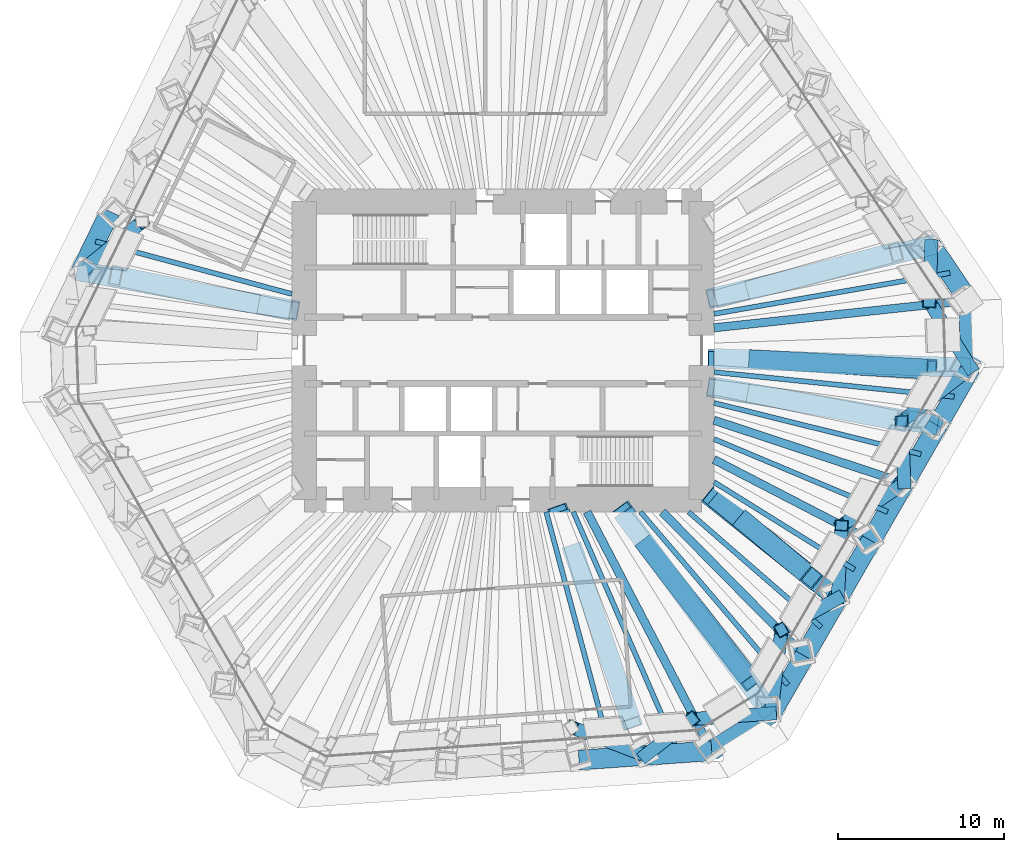
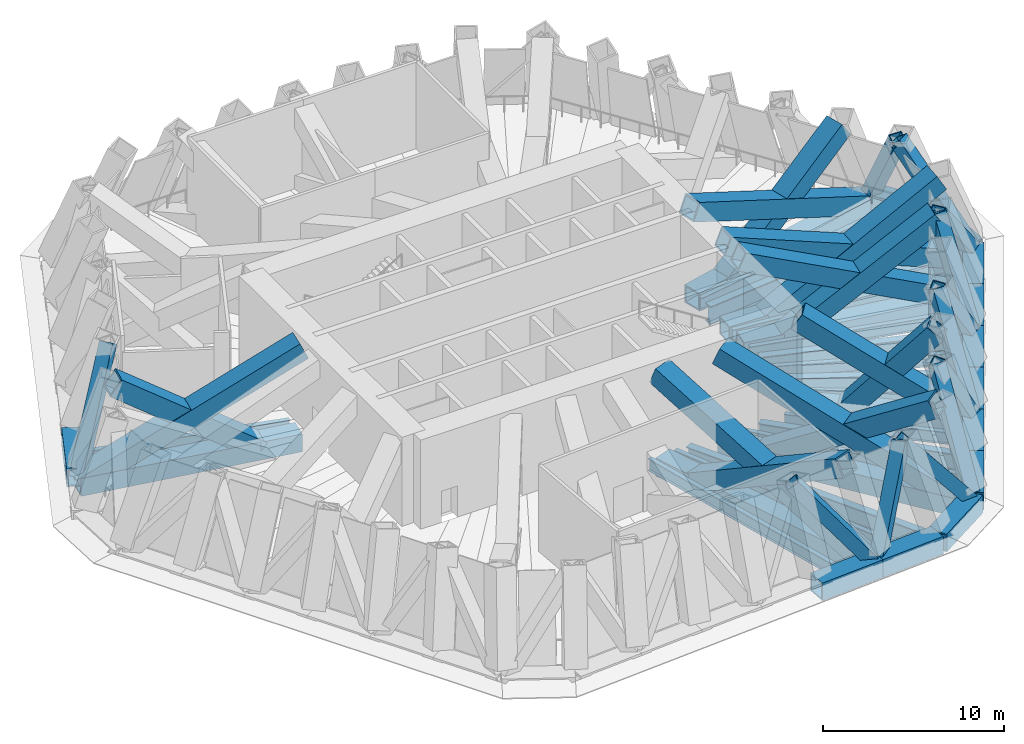
# One storey, part 3 of 12: 38 members, 22 beams.
"""IFC4 building model written with IfcOpenShell, lengths in metres."""

import ifcopenshell
import ifcopenshell.guid

model = None  # the IFC model being written
_history = None  # IfcOwnerHistory: only IFC2X3 demands one
_inside = {}  # id of a spatial element -> (the spatial element, [elements in it])
_under = {}  # id of a project, library or spatial element -> (it, [spatial elements below it])
_declared = {}  # id of a project -> (the project, [libraries it declares])
_typed = {}  # id of a type object -> (the type object, [elements of that type])
_made_of = {}  # id of a material, layer set ... -> (it, [elements and type objects made of it])


def new_model(schema):
    """Start an empty IFC model of exactly this schema.

    Asked for "IFC4X3", IfcOpenShell would pick the latest addendum, in which some entities
    have other attributes; the version numbers below select the first issue.
    IFC2X3 requires an IfcOwnerHistory on every rooted entity: one is made here for all.
    """
    global model, _history
    if schema == "IFC4X3":
        model = ifcopenshell.file(schema_version=(4, 3, 0, 0))
    else:
        model = ifcopenshell.file(schema=schema)
    _inside.clear()
    _under.clear()
    _declared.clear()
    _typed.clear()
    _made_of.clear()
    _history = None
    if model.schema == "IFC2X3":
        org = make("IfcOrganization", Name="unknown")
        user = make(
            "IfcPersonAndOrganization",
            ThePerson=make("IfcPerson", FamilyName="unknown"),
            TheOrganization=org,
        )
        app = make(
            "IfcApplication",
            ApplicationDeveloper=org,
            Version="unknown",
            ApplicationFullName="unknown",
            ApplicationIdentifier="unknown",
        )
        _history = make(
            "IfcOwnerHistory",
            OwningUser=user,
            OwningApplication=app,
            ChangeAction="ADDED",
            CreationDate=0,
        )
    return model


def make(cls, **values):
    """One entity of the class cls with the attributes given. An attribute that is None is left unset."""
    return model.create_entity(
        cls, **{name: value for name, value in values.items() if value is not None}
    )


def rooted(cls, **values):
    """An entity with a GlobalId (a new one), such as an element, a storey or a relation."""
    return make(cls, GlobalId=ifcopenshell.guid.new(), OwnerHistory=_history, **values)


def si_unit(unit_type, name, prefix=None):
    """IfcSIUnit, for example si_unit("LENGTHUNIT", "METRE", prefix="MILLI")."""
    return make("IfcSIUnit", UnitType=unit_type, Prefix=prefix, Name=name)


def assignment(units):
    """IfcUnitAssignment: the units of a project."""
    return None if units is None else make("IfcUnitAssignment", Units=units)


def point(xyz):
    """IfcCartesianPoint."""
    return None if xyz is None else make("IfcCartesianPoint", Coordinates=xyz)


def direction(xyz):
    """IfcDirection."""
    return None if xyz is None else make("IfcDirection", DirectionRatios=xyz)


def frame(location, z_axis=None, x_axis=None):
    """IfcAxis2Placement3D, a coordinate frame: its origin and axes. An axis left out is left unset."""
    return make(
        "IfcAxis2Placement3D",
        Location=point(location),
        Axis=direction(z_axis),
        RefDirection=direction(x_axis),
    )


def frame_2d(location, x_axis=None):
    """IfcAxis2Placement2D, a coordinate frame in the plane: its origin and x axis."""
    return make(
        "IfcAxis2Placement2D", Location=point(location), RefDirection=direction(x_axis)
    )


def origin():
    """The frame at (0, 0, 0) with its axes left unset."""
    return frame((0.0, 0.0, 0.0))


def origin_2d():
    """The frame at (0, 0) in the plane with its x axis left unset."""
    return frame_2d((0.0, 0.0))


def place(relative_to, where):
    """IfcLocalPlacement: puts the frame where relative to a parent placement (None: the world)."""
    return make(
        "IfcLocalPlacement", PlacementRelTo=relative_to, RelativePlacement=where
    )


def context(
    kind, dimensions, precision=None, world=None, true_north=None, identifier=None
):
    """IfcGeometricRepresentationContext, for example the 3D "Model" context."""
    return make(
        "IfcGeometricRepresentationContext",
        ContextIdentifier=identifier,
        ContextType=kind,
        CoordinateSpaceDimension=dimensions,
        Precision=precision,
        WorldCoordinateSystem=world,
        TrueNorth=true_north,
    )


def subcontext(parent, identifier, kind, view, scale=None):
    """IfcGeometricRepresentationSubContext, for example "Body" below "Model"."""
    return make(
        "IfcGeometricRepresentationSubContext",
        ContextIdentifier=identifier,
        ContextType=kind,
        ParentContext=parent,
        TargetScale=scale,
        TargetView=view,
    )


def project(units=None, contexts=None):
    """IfcProject with its units and contexts."""
    return rooted(
        "IfcProject",
        Name="project",
        RepresentationContexts=contexts,
        UnitsInContext=assignment(units),
    )


def spatial(cls, under=None, at=None, **own):
    """A site, building, storey or space (cls), placed at a placement, below another one or the project."""
    s = rooted(cls, ObjectPlacement=at, **own)
    if under is not None:
        _under.setdefault(under.id(), (under, []))[1].append(s)
    return s


def profile(cls, at=None, kind="AREA", **sizes):
    """A parametric profile (cls). Its sizes go by their IFC names, for example OverallWidth=200.0."""
    return make(cls, ProfileType=kind, Position=at, **sizes)


def hollow_rectangle(**sizes):
    """IfcRectangleHollowProfileDef."""
    return profile("IfcRectangleHollowProfileDef", **sizes)


def i_section(**sizes):
    """IfcIShapeProfileDef."""
    return profile("IfcIShapeProfileDef", **sizes)


def extrude(swept, where, along, depth):
    """IfcExtrudedAreaSolid: the profile swept, set in the frame where, extruded along a direction by depth."""
    return make(
        "IfcExtrudedAreaSolid",
        SweptArea=swept,
        Position=where,
        ExtrudedDirection=direction(along),
        Depth=depth,
    )


def shape(context_of_items, identifier, shape_type, items):
    """IfcShapeRepresentation: the items that make up one representation, for example the "Body"."""
    return make(
        "IfcShapeRepresentation",
        ContextOfItems=context_of_items,
        RepresentationIdentifier=identifier,
        RepresentationType=shape_type,
        Items=items,
    )


def material(Name=None, Category=None):
    """IfcMaterial."""
    return make("IfcMaterial", Name=Name, Category=Category)


def material_profile(
    of_material, cross_section, Name=None, Category=None, Priority=None
):
    """IfcMaterialProfile: a cross section and its material."""
    return make(
        "IfcMaterialProfile",
        Name=Name,
        Material=of_material,
        Profile=cross_section,
        Priority=Priority,
        Category=Category,
    )


def profile_set(profiles, Name=None, composite=None):
    """IfcMaterialProfileSet."""
    return make(
        "IfcMaterialProfileSet",
        Name=Name,
        MaterialProfiles=profiles,
        CompositeProfile=composite,
    )


def made_of(thing, what):
    """Note that an element or type object is made of a material, layer set ...; save() writes the relation."""
    if what is not None:
        _made_of.setdefault(what.id(), (what, []))[1].append(thing)
    return thing


def type_object(cls, material=None, **own):
    """A type object (cls), such as IfcWallType, which elements share."""
    return made_of(rooted(cls, **own), material)


def element(
    cls,
    number,
    at=None,
    inside=None,
    cuts=None,
    type_object=None,
    material=None,
    context=None,
    identifier="Body",
    shape_type=None,
    held_by="IfcProductDefinitionShape",
    body=None,
    shapes=None,
    **own,
):
    """One element of the class cls, such as IfcWall. Its Tag is "e" and its number.

    at: its placement. inside: the storey or other place that contains it. cuts: it is an
    opening in that element (IfcRelVoidsElement). A single representation is given by context,
    identifier, shape_type and body (its items); several are given by shapes. held_by: the class
    of the entity that holds the representations. save() writes the other relations.
    """
    e = rooted(cls, Tag="e%d" % number, ObjectPlacement=at, **own)
    if body is not None:
        shapes = [shape(context, identifier, shape_type, body)]
    if shapes is not None:
        e.Representation = make(held_by, Representations=shapes)
    if inside is not None:
        _inside.setdefault(inside.id(), (inside, []))[1].append(e)
    if cuts is not None:
        rooted(
            "IfcRelVoidsElement", RelatingBuildingElement=cuts, RelatedOpeningElement=e
        )
    if type_object is not None:
        _typed.setdefault(type_object.id(), (type_object, []))[1].append(e)
    return made_of(e, material)


def aggregate(whole, parts):
    """IfcRelAggregates: a whole, such as a stair, and the parts it consists of."""
    return rooted("IfcRelAggregates", RelatingObject=whole, RelatedObjects=parts)


def save(model, path):
    """Write the relations noted so far, then the file.

    IfcRelAggregates (storeys below a building ...), IfcRelContainedInSpatialStructure (elements
    in a storey), IfcRelDefinesByType, IfcRelAssociatesMaterial and IfcRelDeclares: one each for
    every whole, place, type object, material and project.
    """
    for whole, parts in _under.values():
        aggregate(whole, parts)
    for where, things in _inside.values():
        rooted(
            "IfcRelContainedInSpatialStructure",
            RelatedElements=things,
            RelatingStructure=where,
        )
    for kind, things in _typed.values():
        rooted("IfcRelDefinesByType", RelatedObjects=things, RelatingType=kind)
    for what, things in _made_of.values():
        rooted("IfcRelAssociatesMaterial", RelatedObjects=things, RelatingMaterial=what)
    for by, libraries in _declared.values():
        rooted("IfcRelDeclares", RelatingContext=by, RelatedDefinitions=libraries)
    model.write(path)


model = new_model("IFC4")

# Units and contexts
model_context = context("Model", 3, precision=1e-05, world=origin(), true_north=direction((0.0, 1.0)))
body_context = subcontext(model_context, "Body", "Model", "MODEL_VIEW")
ifc_project = project(units=[si_unit("LENGTHUNIT", "METRE"), si_unit("AREAUNIT", "SQUARE_METRE"), si_unit("VOLUMEUNIT", "CUBIC_METRE"), si_unit("PLANEANGLEUNIT", "RADIAN"), si_unit("MASSUNIT", "GRAM", prefix="KILO")], contexts=[model_context])

# Site, building, storey
site_placement = place(None, origin())
site = spatial("IfcSite", under=ifc_project, at=site_placement, CompositionType="ELEMENT")
building_placement = place(site_placement, origin())
building = spatial("IfcBuilding", under=site, at=building_placement, Name="Qingtian Harvest Tower", CompositionType="ELEMENT")
storey_placement = place(building_placement, frame((0.0, 0.0, 174.39990234375)))
storey = spatial("IfcBuildingStorey", under=building, at=storey_placement, Name="L37", CompositionType="ELEMENT", Elevation=174.39990234375)

# Members
ifc_material_1 = material(Name="Steel SM570MC", Category="steel")
ifc_material_profile_1 = material_profile(ifc_material_1, hollow_rectangle(XDim=1.199951171875, YDim=1.199951171875, WallThickness=0.10009765625, at=origin_2d()), Name="BOX1200x1200x100")
ifc_profile_set_1 = profile_set([ifc_material_profile_1], Name="Steel SM570MC")
member_type_1 = type_object("IfcMemberType", Name="Belt truss chord BC2 BOX1200x1200x100", PredefinedType="CHORD", material=ifc_profile_set_1)
member_1_placement = place(storey_placement, frame((25.8720703125, 6.3505859375, -0.599853515625), z_axis=(0.55916400171, -0.829057066306, 0.0), x_axis=(0.829057066306, 0.55916400171, 0.0)))
element("IfcMember", 1, at=member_1_placement, inside=storey, type_object=member_type_1, Name="Belt chord BC2 NE5", PredefinedType="CHORD", context=body_context, shape_type="SweptSolid", body=[
    extrude(hollow_rectangle(XDim=1.199951171875, YDim=1.199951171875, WallThickness=0.10009765625, at=origin_2d()), origin(), (0.0, 0.0, 1.0), 4.01904296875),
])
member_2_placement = place(storey_placement, frame((28.119384765625, 3.0185546875, -0.599853515625), z_axis=(0.03490639867, -0.999390585973, 0.0), x_axis=(0.999390585973, 0.03490639867, 0.0)))
element("IfcMember", 2, at=member_2_placement, inside=storey, type_object=member_type_1, Name="Belt chord BC2 NEC", PredefinedType="CHORD", context=body_context, shape_type="SweptSolid", body=[
    extrude(hollow_rectangle(XDim=1.199951171875, YDim=1.199951171875, WallThickness=0.10009765625, at=origin_2d()), origin(), (0.0, 0.0, 1.0), 4.070556640625),
])
for number, where, z_axis, x_axis, name in (
    (3, (28.261474609375, -1.049560546875, -0.599853515625), (-0.499987116613, -0.866032841884, 0.0), (0.866032841884, -0.499987116613, 0.0), "Belt chord BC2 SE0"),
    (4, (26.251953125, -4.5302734375, -0.599853515625), (-0.499987116613, -0.866032841884, 0.0), (0.866032841884, -0.499987116613, 0.0), "Belt chord BC2 SE1"),
    (5, (24.242431640625, -8.010986328125, -0.599853515625), (-0.500013420409, -0.866017655369, 0.0), (0.866017655369, -0.500013420409, 0.0), "Belt chord BC2 SE2"),
    (6, (22.23291015625, -11.491455078125, -0.599853515625), (-0.499987116613, -0.866032841884, 0.0), (0.866032841884, -0.499987116613, 0.0), "Belt chord BC2 SE3"),
    (7, (20.223388671875, -14.97216796875, -0.599853515625), (-0.499987116613, -0.866032841884, 0.0), (0.866032841884, -0.499987116613, 0.0), "Belt chord BC2 SE4"),
    (8, (18.2138671875, -18.452880859375, -0.599853515625), (-0.500013420409, -0.866017655369, 0.0), (0.866017655369, -0.500013420409, 0.0), "Belt chord BC2 SE5"),
):
    element("IfcMember", number, at=place(storey_placement, frame(where, z_axis=z_axis, x_axis=x_axis)), inside=storey, type_object=member_type_1, Name=name, PredefinedType="CHORD", context=body_context, shape_type="SweptSolid", body=[
        extrude(hollow_rectangle(XDim=1.199951171875, YDim=1.199951171875, WallThickness=0.10009765625, at=origin_2d()), origin(), (0.0, 0.0, 1.0), 4.01904296875),
    ])
member_3_placement = place(storey_placement, frame((16.204345703125, -21.933349609375, -0.599853515625), z_axis=(-0.848056550838, -0.529905733675, 0.0), x_axis=(0.529905733675, -0.848056550838, 0.0)))
element("IfcMember", 9, at=member_3_placement, inside=storey, type_object=member_type_1, Name="Belt chord BC2 SEC", PredefinedType="CHORD", context=body_context, shape_type="SweptSolid", body=[
    extrude(hollow_rectangle(XDim=1.199951171875, YDim=1.199951171875, WallThickness=0.10009765625, at=origin_2d()), origin(), (0.0, 0.0, 1.0), 4.23828125),
])
for number, where, z_axis, x_axis, name in (
    (10, (12.610107421875, -24.17919921875, -0.599853515625), (-0.997561251588, -0.069796485086, 0.0), (0.069796485086, -0.997561251588, 0.0), "Belt chord BC2 S0"),
    (11, (8.600830078125, -24.459716796875, -0.599853515625), (-0.997565479251, -0.069736035208, 0.0), (0.069736035208, -0.997565479251, 0.0), "Belt chord BC2 S1"),
    (12, (-25.483154296875, 4.78125, -0.599853515625), (0.438396105405, 0.89878187274, 0.0), (-0.89878187274, 0.438396105405, 0.0), "Belt chord BC2 NW1"),
):
    element("IfcMember", number, at=place(storey_placement, frame(where, z_axis=z_axis, x_axis=x_axis)), inside=storey, type_object=member_type_1, Name=name, PredefinedType="CHORD", context=body_context, shape_type="SweptSolid", body=[
        extrude(hollow_rectangle(XDim=1.199951171875, YDim=1.199951171875, WallThickness=0.10009765625, at=origin_2d()), origin(), (0.0, 0.0, 1.0), 4.01904296875),
    ])
ifc_material_2 = material(Name="Steel SM570MC", Category="steel")
ifc_material_profile_2 = material_profile(ifc_material_2, hollow_rectangle(XDim=0.800048828125, YDim=0.800048828125, WallThickness=0.050048828125, at=origin_2d()), Name="BOX800x800x50")
ifc_profile_set_2 = profile_set([ifc_material_profile_2], Name="Steel SM570MC")
member_type_2 = type_object("IfcMemberType", Name="Belt truss diagonal BD2 BOX800x800x50", PredefinedType="BRACE", material=ifc_profile_set_2)
member_4_placement = place(storey_placement, frame((25.8720703125, 6.3505859375, -0.599853515625), z_axis=(-0.015876913054, -0.494518104814, 0.869022305607), x_axis=(0.999485006016, -0.032089293364, 0.0)))
element("IfcMember", 13, at=member_4_placement, inside=storey, type_object=member_type_2, Name="Belt truss diagonal BD2 L37 NE5", PredefinedType="BRACE", context=body_context, shape_type="SweptSolid", body=[
    extrude(hollow_rectangle(XDim=0.800048828125, YDim=0.800048828125, WallThickness=0.050048828125, at=origin_2d()), origin(), (0.0, 0.0, 1.0), 6.904296875),
])
member_5_placement = place(storey_placement, frame((25.762451171875, 2.936279296875, 5.400146484375), z_axis=(0.327764985671, -0.522771703406, -0.786943365362), x_axis=(0.847245257372, 0.531201914398, 0.0)))
element("IfcMember", 14, at=member_5_placement, inside=storey, type_object=member_type_2, Name="Belt truss diagonal BD2 L37 NE6", PredefinedType="BRACE", context=body_context, shape_type="SweptSolid", body=[
    extrude(hollow_rectangle(XDim=0.800048828125, YDim=0.800048828125, WallThickness=0.050048828125, at=origin_2d()), origin(), (0.0, 0.0, 1.0), 7.62451171875),
])
member_6_placement = place(storey_placement, frame((28.261474609375, -1.049560546875, -0.599853515625), z_axis=(-0.522323339513, -0.404139854445, 0.750898999233), x_axis=(0.611946418423, -0.790899223024, 0.0)))
element("IfcMember", 15, at=member_6_placement, inside=storey, type_object=member_type_2, Name="Belt truss diagonal BD2 L37 SE0", PredefinedType="BRACE", context=body_context, shape_type="SweptSolid", body=[
    extrude(hollow_rectangle(XDim=0.800048828125, YDim=0.800048828125, WallThickness=0.050048828125, at=origin_2d()), origin(), (0.0, 0.0, 1.0), 7.990478515625),
])
member_7_placement = place(storey_placement, frame((24.087890625, -4.27880859375, 5.400146484375), z_axis=(0.021865671963, -0.528057705053, -0.848926941806), x_axis=(0.999143800735, 0.04137227879, 0.0)))
element("IfcMember", 16, at=member_7_placement, inside=storey, type_object=member_type_2, Name="Belt truss diagonal BD2 L37 SE1", PredefinedType="BRACE", context=body_context, shape_type="SweptSolid", body=[
    extrude(hollow_rectangle(XDim=0.800048828125, YDim=0.800048828125, WallThickness=0.050048828125, at=origin_2d()), origin(), (0.0, 0.0, 1.0), 7.067626953125),
])
member_8_placement = place(storey_placement, frame((24.242431640625, -8.010986328125, -0.599853515625), z_axis=(-0.502141940591, -0.339518632298, 0.795349338229), x_axis=(0.560121899694, -0.828410198804, 0.0)))
element("IfcMember", 17, at=member_8_placement, inside=storey, type_object=member_type_2, Name="Belt truss diagonal BD2 L37 SE2", PredefinedType="BRACE", context=body_context, shape_type="SweptSolid", body=[
    extrude(hollow_rectangle(XDim=0.800048828125, YDim=0.800048828125, WallThickness=0.050048828125, at=origin_2d()), origin(), (0.0, 0.0, 1.0), 7.5439453125),
])
member_9_placement = place(storey_placement, frame((20.454345703125, -10.572265625, 5.400146484375), z_axis=(-0.031026114269, -0.591070434835, -0.806023027771), x_axis=(0.99862516695, -0.05241923249, 0.0)))
element("IfcMember", 18, at=member_9_placement, inside=storey, type_object=member_type_2, Name="Belt truss diagonal BD2 L37 SE3", PredefinedType="BRACE", context=body_context, shape_type="SweptSolid", body=[
    extrude(hollow_rectangle(XDim=0.800048828125, YDim=0.800048828125, WallThickness=0.050048828125, at=origin_2d()), origin(), (0.0, 0.0, 1.0), 7.44384765625),
])
member_10_placement = place(storey_placement, frame((20.223388671875, -14.97216796875, -0.599853515625), z_axis=(-0.475697313506, -0.264727585818, 0.838827378684), x_axis=(0.4862762778, -0.873805116516, 0.0)))
element("IfcMember", 19, at=member_10_placement, inside=storey, type_object=member_type_2, Name="Belt truss diagonal BD2 L37 SE4", PredefinedType="BRACE", context=body_context, shape_type="SweptSolid", body=[
    extrude(hollow_rectangle(XDim=0.800048828125, YDim=0.800048828125, WallThickness=0.050048828125, at=origin_2d()), origin(), (0.0, 0.0, 1.0), 7.15283203125),
])
member_11_placement = place(storey_placement, frame((16.82080078125, -16.86572265625, 5.400146484375), z_axis=(-0.078251476429, -0.643273622274, -0.761627043456), x_axis=(0.992682275225, -0.120755540056, 0.0)))
element("IfcMember", 20, at=member_11_placement, inside=storey, type_object=member_type_2, Name="Belt truss diagonal BD2 L37 SE5", PredefinedType="BRACE", context=body_context, shape_type="SweptSolid", body=[
    extrude(hollow_rectangle(XDim=0.800048828125, YDim=0.800048828125, WallThickness=0.050048828125, at=origin_2d()), origin(), (0.0, 0.0, 1.0), 7.8779296875),
])
member_12_placement = place(storey_placement, frame((16.204345703125, -21.933349609375, -0.599853515625), z_axis=(-0.623714425442, -0.042271189993, 0.780508463754), x_axis=(0.067618193465, -0.997711270816, 0.0)))
element("IfcMember", 21, at=member_12_placement, inside=storey, type_object=member_type_2, Name="Belt truss diagonal BD2 L37 SE6", PredefinedType="BRACE", context=body_context, shape_type="SweptSolid", body=[
    extrude(hollow_rectangle(XDim=0.800048828125, YDim=0.800048828125, WallThickness=0.050048828125, at=origin_2d()), origin(), (0.0, 0.0, 1.0), 7.687255859375),
])
member_13_placement = place(storey_placement, frame((11.40966796875, -22.25830078125, 5.400146484375), z_axis=(-0.402348709764, -0.315339271268, -0.859463006619), x_axis=(0.616863337539, -0.787070278184, 0.0)))
element("IfcMember", 22, at=member_13_placement, inside=storey, type_object=member_type_2, Name="Belt truss diagonal BD2 L37 S0", PredefinedType="BRACE", context=body_context, shape_type="SweptSolid", body=[
    extrude(hollow_rectangle(XDim=0.800048828125, YDim=0.800048828125, WallThickness=0.050048828125, at=origin_2d()), origin(), (0.0, 0.0, 1.0), 6.981201171875),
])
for number, where, z_axis, x_axis, name in (
    (23, (8.600830078125, -24.459716796875, -0.599853515625), (-0.580118733463, 0.221387955188, 0.783868374399), (-0.356544240979, -0.934278440415, 0.0), "Belt truss diagonal BD2 L37 S1"),
    (24, (-25.483154296875, 4.78125, -0.599853515625), (0.481783559461, 0.391710287569, 0.783867114022), (-0.63084592459, 0.775908125636, 0.0), "Belt truss diagonal BD2 L37 NW1"),
):
    element("IfcMember", number, at=place(storey_placement, frame(where, z_axis=z_axis, x_axis=x_axis)), inside=storey, type_object=member_type_2, Name=name, PredefinedType="BRACE", context=body_context, shape_type="SweptSolid", body=[
        extrude(hollow_rectangle(XDim=0.800048828125, YDim=0.800048828125, WallThickness=0.050048828125, at=origin_2d()), origin(), (0.0, 0.0, 1.0), 7.654296875),
    ])

# Beams
ifc_material_3 = material(Name="Steel SN490B", Category="steel")
ifc_material_profile_3 = material_profile(ifc_material_3, i_section(OverallWidth=0.300048828125, OverallDepth=0.800048828125, WebThickness=0.013916015625, FlangeThickness=0.02587890625, at=origin_2d()), Name="H800x300x14x26")
ifc_profile_set_3 = profile_set([ifc_material_profile_3], Name="Steel SN490B")
beam_type_1 = type_object("IfcBeamType", Name="Floor joist J1 H800x300x14x26", PredefinedType="JOIST", material=ifc_profile_set_3)
beam_1_placement = place(storey_placement, frame((26.99560546875, 4.6845703125, -0.679931640625), z_axis=(-0.985273903188, -0.17098343691, 0.0), x_axis=(0.17098343691, -0.985273903188, 0.0)))
element("IfcBeam", 25, at=beam_1_placement, inside=storey, type_object=beam_type_1, Name="Floor joist J1 NE5", PredefinedType="JOIST", context=body_context, shape_type="SweptSolid", body=[
    extrude(i_section(OverallWidth=0.300048828125, OverallDepth=0.800048828125, WebThickness=0.013916015625, FlangeThickness=0.02587890625, at=origin_2d()), origin(), (0.0, 0.0, 1.0), 14.45849609375),
])
beam_2_placement = place(storey_placement, frame((27.2568359375, -2.7900390625, -0.679931640625), z_axis=(-0.994802418411, 0.101824104826, 0.0), x_axis=(-0.101824104826, -0.994802418411, 0.0)))
element("IfcBeam", 26, at=beam_2_placement, inside=storey, type_object=beam_type_1, Name="Floor joist J1 SE0", PredefinedType="JOIST", context=body_context, shape_type="SweptSolid", body=[
    extrude(i_section(OverallWidth=0.300048828125, OverallDepth=0.800048828125, WebThickness=0.013916015625, FlangeThickness=0.02587890625, at=origin_2d()), origin(), (0.0, 0.0, 1.0), 14.58251953125),
])
beam_3_placement = place(storey_placement, frame((25.247314453125, -6.2705078125, -0.679931640625), z_axis=(-0.970517179244, 0.241031958032, 0.0), x_axis=(-0.241031958032, -0.970517179244, 0.0)))
element("IfcBeam", 27, at=beam_3_placement, inside=storey, type_object=beam_type_1, Name="Floor joist J1 SE1", PredefinedType="JOIST", context=body_context, shape_type="SweptSolid", body=[
    extrude(i_section(OverallWidth=0.300048828125, OverallDepth=0.800048828125, WebThickness=0.013916015625, FlangeThickness=0.02587890625, at=origin_2d()), origin(), (0.0, 0.0, 1.0), 12.876953125),
])
beam_4_placement = place(storey_placement, frame((23.237548828125, -9.751220703125, -0.679931640625), z_axis=(-0.922104219626, 0.386941608189, 0.0), x_axis=(-0.386941608189, -0.922104219626, 0.0)))
element("IfcBeam", 28, at=beam_4_placement, inside=storey, type_object=beam_type_1, Name="Floor joist J1 SE2", PredefinedType="JOIST", context=body_context, shape_type="SweptSolid", body=[
    extrude(i_section(OverallWidth=0.300048828125, OverallDepth=0.800048828125, WebThickness=0.013916015625, FlangeThickness=0.02587890625, at=origin_2d()), origin(), (0.0, 0.0, 1.0), 11.37353515625),
])
beam_5_placement = place(storey_placement, frame((21.22802734375, -13.23193359375, -0.679931640625), z_axis=(-0.848631984892, 0.528983699389, 0.0), x_axis=(-0.528983699389, -0.848631984892, 0.0)))
element("IfcBeam", 29, at=beam_5_placement, inside=storey, type_object=beam_type_1, Name="Floor joist J1 SE3", PredefinedType="JOIST", context=body_context, shape_type="SweptSolid", body=[
    extrude(i_section(OverallWidth=0.300048828125, OverallDepth=0.800048828125, WebThickness=0.013916015625, FlangeThickness=0.02587890625, at=origin_2d()), origin(), (0.0, 0.0, 1.0), 9.990234375),
])
beam_6_placement = place(storey_placement, frame((19.218505859375, -16.71240234375, -0.679931640625), z_axis=(-0.754588679317, 0.656198083697, 0.0), x_axis=(-0.656198083697, -0.754588679317, 0.0)))
element("IfcBeam", 30, at=beam_6_placement, inside=storey, type_object=beam_type_1, Name="Floor joist J1 SE4", PredefinedType="JOIST", context=body_context, shape_type="SweptSolid", body=[
    extrude(i_section(OverallWidth=0.300048828125, OverallDepth=0.800048828125, WebThickness=0.013916015625, FlangeThickness=0.02587890625, at=origin_2d()), origin(), (0.0, 0.0, 1.0), 10.610107421875),
])
beam_7_placement = place(storey_placement, frame((17.208984375, -20.193115234375, -0.679931640625), z_axis=(-0.648631797865, 0.76110235238, 0.0), x_axis=(-0.76110235238, -0.648631797865, 0.0)))
element("IfcBeam", 31, at=beam_7_placement, inside=storey, type_object=beam_type_1, Name="Floor joist J1 SE5", PredefinedType="JOIST", context=body_context, shape_type="SweptSolid", body=[
    extrude(i_section(OverallWidth=0.300048828125, OverallDepth=0.800048828125, WebThickness=0.013916015625, FlangeThickness=0.02587890625, at=origin_2d()), origin(), (0.0, 0.0, 1.0), 13.720947265625),
])
beam_8_placement = place(storey_placement, frame((10.60546875, -24.3193359375, -0.679931640625), z_axis=(-0.399732363577, 0.916631898588, 0.0), x_axis=(-0.916631898588, -0.399732363577, 0.0)))
element("IfcBeam", 32, at=beam_8_placement, inside=storey, type_object=beam_type_1, Name="Floor joist J1 S0", PredefinedType="JOIST", context=body_context, shape_type="SweptSolid", body=[
    extrude(i_section(OverallWidth=0.300048828125, OverallDepth=0.800048828125, WebThickness=0.013916015625, FlangeThickness=0.02587890625, at=origin_2d()), origin(), (0.0, 0.0, 1.0), 15.89453125),
])
beam_9_placement = place(storey_placement, frame((6.59619140625, -24.599853515625, -0.679931640625), z_axis=(-0.258996688759, 0.965878209306, 0.0), x_axis=(-0.965878209306, -0.258996688759, 0.0)))
element("IfcBeam", 33, at=beam_9_placement, inside=storey, type_object=beam_type_1, Name="Floor joist J1 S1", PredefinedType="JOIST", context=body_context, shape_type="SweptSolid", body=[
    extrude(i_section(OverallWidth=0.300048828125, OverallDepth=0.800048828125, WebThickness=0.013916015625, FlangeThickness=0.02587890625, at=origin_2d()), origin(), (0.0, 0.0, 1.0), 15.37451171875),
])
beam_10_placement = place(storey_placement, frame((-24.60205078125, 6.58740234375, -0.679931640625), z_axis=(0.965969893862, -0.258654526641, 0.0), x_axis=(0.258654526641, 0.965969893862, 0.0)))
element("IfcBeam", 34, at=beam_10_placement, inside=storey, type_object=beam_type_1, Name="Floor joist J1 NW1", PredefinedType="JOIST", context=body_context, shape_type="SweptSolid", body=[
    extrude(i_section(OverallWidth=0.300048828125, OverallDepth=0.800048828125, WebThickness=0.013916015625, FlangeThickness=0.02587890625, at=origin_2d()), origin(), (0.0, 0.0, 1.0), 12.26953125),
])
ifc_material_4 = material(Name="Steel SM570MC", Category="steel")
ifc_material_profile_4 = material_profile(ifc_material_4, hollow_rectangle(XDim=1.199951171875, YDim=1.199951171875, WallThickness=0.10009765625, at=origin_2d()), Name="BOX1200x1200x100")
ifc_profile_set_4 = profile_set([ifc_material_profile_4], Name="Steel SM570MC")
beam_type_2 = type_object("IfcBeamType", Name="Outrigger chord beam OC2 BOX1200x1200x100", PredefinedType="BEAM", material=ifc_profile_set_4)
beam_11_placement = place(storey_placement, frame((25.8720703125, 6.3505859375, -0.8798828125), z_axis=(-0.971170997483, -0.2383839207, 0.0), x_axis=(0.2383839207, -0.971170997483, 0.0)))
element("IfcBeam", 35, at=beam_11_placement, inside=storey, type_object=beam_type_2, Name="Floor beam OC2 NE5", PredefinedType="BEAM", context=body_context, shape_type="SweptSolid", body=[
    extrude(hollow_rectangle(XDim=1.199951171875, YDim=1.199951171875, WallThickness=0.10009765625, at=origin_2d()), origin(), (0.0, 0.0, 1.0), 13.511474609375),
])
beam_12_placement = place(storey_placement, frame((28.261474609375, -1.049560546875, -0.8798828125), z_axis=(-0.999311425285, 0.03710357523, 0.0), x_axis=(-0.03710357523, -0.999311425285, 0.0)))
element("IfcBeam", 36, at=beam_12_placement, inside=storey, type_object=beam_type_2, Name="Floor beam OC2 SE0", PredefinedType="BEAM", context=body_context, shape_type="SweptSolid", body=[
    extrude(hollow_rectangle(XDim=1.199951171875, YDim=1.199951171875, WallThickness=0.10009765625, at=origin_2d()), origin(), (0.0, 0.0, 1.0), 15.522216796875),
])
beam_13_placement = place(storey_placement, frame((26.251953125, -4.5302734375, -0.8798828125), z_axis=(-0.985433767107, 0.170059667895, 0.0), x_axis=(-0.170059667895, -0.985433767107, 0.0)))
element("IfcBeam", 37, at=beam_13_placement, inside=storey, type_object=beam_type_2, Name="Floor beam OC2 SE1", PredefinedType="BEAM", context=body_context, shape_type="SweptSolid", body=[
    extrude(hollow_rectangle(XDim=1.199951171875, YDim=1.199951171875, WallThickness=0.10009765625, at=origin_2d()), origin(), (0.0, 0.0, 1.0), 13.701416015625),
])
beam_14_placement = place(storey_placement, frame((20.223388671875, -14.97216796875, -0.8798828125), z_axis=(-0.773577716445, 0.633701441233, 0.0), x_axis=(-0.633701441233, -0.773577716445, 0.0)))
element("IfcBeam", 38, at=beam_14_placement, inside=storey, type_object=beam_type_2, Name="Floor beam OC2 SE4", PredefinedType="BEAM", context=body_context, shape_type="SweptSolid", body=[
    extrude(hollow_rectangle(XDim=1.199951171875, YDim=1.199951171875, WallThickness=0.10009765625, at=origin_2d()), origin(), (0.0, 0.0, 1.0), 9.660888671875),
])
beam_15_placement = place(storey_placement, frame((16.204345703125, -21.933349609375, -0.8798828125), z_axis=(-0.594215666968, 0.804305751023, 0.0), x_axis=(-0.804305751023, -0.594215666968, 0.0)))
element("IfcBeam", 39, at=beam_15_placement, inside=storey, type_object=beam_type_2, Name="Floor beam OC2 SE6", PredefinedType="BEAM", context=body_context, shape_type="SweptSolid", body=[
    extrude(hollow_rectangle(XDim=1.199951171875, YDim=1.199951171875, WallThickness=0.10009765625, at=origin_2d()), origin(), (0.0, 0.0, 1.0), 15.147705078125),
])
beam_16_placement = place(storey_placement, frame((8.600830078125, -24.459716796875, -0.8798828125), z_axis=(-0.331719146802, 0.943378189087, 0.0), x_axis=(-0.943378189087, -0.331719146802, 0.0)))
element("IfcBeam", 40, at=beam_16_placement, inside=storey, type_object=beam_type_2, Name="Floor beam OC2 S1", PredefinedType="BEAM", context=body_context, shape_type="SweptSolid", body=[
    extrude(hollow_rectangle(XDim=1.199951171875, YDim=1.199951171875, WallThickness=0.10009765625, at=origin_2d()), origin(), (0.0, 0.0, 1.0), 15.592529296875),
])
beam_17_placement = place(storey_placement, frame((-25.483154296875, 4.78125, -0.8798828125), z_axis=(0.982851913913, -0.184396625015, 0.0), x_axis=(0.184396625015, 0.982851913913, 0.0)))
element("IfcBeam", 41, at=beam_17_placement, inside=storey, type_object=beam_type_2, Name="Floor beam OC2 NW1", PredefinedType="BEAM", context=body_context, shape_type="SweptSolid", body=[
    extrude(hollow_rectangle(XDim=1.199951171875, YDim=1.199951171875, WallThickness=0.10009765625, at=origin_2d()), origin(), (0.0, 0.0, 1.0), 12.955322265625),
])

# Members
ifc_material_5 = material(Name="Steel SM570MC", Category="steel")
ifc_material_profile_5 = material_profile(ifc_material_5, hollow_rectangle(XDim=1.199951171875, YDim=1.199951171875, WallThickness=0.10009765625, at=origin_2d()), Name="BOX1200x1200x100")
ifc_profile_set_5 = profile_set([ifc_material_profile_5], Name="Steel SM570MC")
member_type_3 = type_object("IfcMemberType", Name="Outrigger diagonal OT2 BOX1200x1200x100", PredefinedType="BRACE", material=ifc_profile_set_5)
member_14_placement = place(storey_placement, frame((8.600830078125, -24.459716796875, -0.8798828125), z_axis=(-0.312257283483, 0.878625100975, 0.361266274164), x_axis=(-0.94226300407, -0.334873754063, 0.0)))
element("IfcMember", 42, at=member_14_placement, inside=storey, type_object=member_type_3, Name="Outrigger diagonal OT2 L37 S1-1", PredefinedType="BRACE", context=body_context, shape_type="SweptSolid", body=[
    extrude(hollow_rectangle(XDim=1.199951171875, YDim=1.199951171875, WallThickness=0.10009765625, at=origin_2d()), origin(), (0.0, 0.0, 1.0), 16.912353515625),
])
member_15_placement = place(storey_placement, frame((4.224609375, -12.01416015625, -0.8798828125), z_axis=(0.28130433497, -0.829369431913, 0.482715461255), x_axis=(0.947009569295, 0.321205348123, 0.0)))
element("IfcMember", 43, at=member_15_placement, inside=storey, type_object=member_type_3, Name="Outrigger diagonal OT2 L37 S1-2", PredefinedType="BRACE", context=body_context, shape_type="SweptSolid", body=[
    extrude(hollow_rectangle(XDim=1.199951171875, YDim=1.199951171875, WallThickness=0.10009765625, at=origin_2d()), origin(), (0.0, 0.0, 1.0), 12.6572265625),
])
member_16_placement = place(storey_placement, frame((25.8720703125, 6.3505859375, -0.8798828125), z_axis=(-0.887433950657, -0.213443193864, 0.408537619093), x_axis=(0.23384846418, -0.972273056194, 0.0)))
element("IfcMember", 44, at=member_16_placement, inside=storey, type_object=member_type_3, Name="Outrigger diagonal OT2 L37 NE5-1", PredefinedType="BRACE", context=body_context, shape_type="SweptSolid", body=[
    extrude(hollow_rectangle(XDim=1.199951171875, YDim=1.199951171875, WallThickness=0.10009765625, at=origin_2d()), origin(), (0.0, 0.0, 1.0), 14.95556640625),
])
member_17_placement = place(storey_placement, frame((15.080810546875, 3.70166015625, -0.8798828125), z_axis=(0.799002953601, 0.207542313914, 0.564376176032), x_axis=(-0.251408667486, 0.967881026735, 0.0)))
element("IfcMember", 45, at=member_17_placement, inside=storey, type_object=member_type_3, Name="Outrigger diagonal OT2 L37 NE5-2", PredefinedType="BRACE", context=body_context, shape_type="SweptSolid", body=[
    extrude(hollow_rectangle(XDim=1.199951171875, YDim=1.199951171875, WallThickness=0.10009765625, at=origin_2d()), origin(), (0.0, 0.0, 1.0), 10.825927734375),
])
member_18_placement = place(storey_placement, frame((26.251953125, -4.5302734375, -0.8798828125), z_axis=(-0.902222871998, 0.151489154569, 0.403788218367), x_axis=(-0.165588612989, -0.986194915444, 0.0)))
element("IfcMember", 46, at=member_18_placement, inside=storey, type_object=member_type_3, Name="Outrigger diagonal OT2 L37 SE1-1", PredefinedType="BRACE", context=body_context, shape_type="SweptSolid", body=[
    extrude(hollow_rectangle(XDim=1.199951171875, YDim=1.199951171875, WallThickness=0.10009765625, at=origin_2d()), origin(), (0.0, 0.0, 1.0), 15.13134765625),
])
member_19_placement = place(storey_placement, frame((15.114990234375, -2.6083984375, -0.8798828125), z_axis=(0.816955928879, -0.152085883204, 0.556284903984), x_axis=(0.183017344459, 0.983109684434, 0.0)))
element("IfcMember", 47, at=member_19_placement, inside=storey, type_object=member_type_3, Name="Outrigger diagonal OT2 L37 SE1-2", PredefinedType="BRACE", context=body_context, shape_type="SweptSolid", body=[
    extrude(hollow_rectangle(XDim=1.199951171875, YDim=1.199951171875, WallThickness=0.10009765625, at=origin_2d()), origin(), (0.0, 0.0, 1.0), 10.9833984375),
])
member_20_placement = place(storey_placement, frame((-25.483154296875, 4.78125, -0.8798828125), z_axis=(0.891514599119, -0.162594259924, 0.422805896597), x_axis=(0.179420242184, 0.98377252284, 0.0)))
element("IfcMember", 48, at=member_20_placement, inside=storey, type_object=member_type_3, Name="Outrigger diagonal OT2 L37 NW1-1", PredefinedType="BRACE", context=body_context, shape_type="SweptSolid", body=[
    extrude(hollow_rectangle(XDim=1.199951171875, YDim=1.199951171875, WallThickness=0.10009765625, at=origin_2d()), origin(), (0.0, 0.0, 1.0), 14.45068359375),
])
member_21_placement = place(storey_placement, frame((-15.10888671875, 2.834716796875, -0.8798828125), z_axis=(-0.794126364456, 0.161059214305, 0.58602324763), x_axis=(-0.198766332792, -0.980046909565, 0.0)))
element("IfcMember", 49, at=member_21_placement, inside=storey, type_object=member_type_3, Name="Outrigger diagonal OT2 L37 NW1-2", PredefinedType="BRACE", context=body_context, shape_type="SweptSolid", body=[
    extrude(hollow_rectangle(XDim=1.199951171875, YDim=1.199951171875, WallThickness=0.10009765625, at=origin_2d()), origin(), (0.0, 0.0, 1.0), 10.426025390625),
])
member_22_placement = place(storey_placement, frame((20.223388671875, -14.97216796875, -0.8798828125), z_axis=(-0.661210267921, 0.531001078571, 0.529942295116), x_axis=(-0.626155630133, -0.779698099813, 0.0)))
element("IfcMember", 50, at=member_22_placement, inside=storey, type_object=member_type_3, Name="Outrigger diagonal OT2 L37 SE4-1", PredefinedType="BRACE", context=body_context, shape_type="SweptSolid", body=[
    extrude(hollow_rectangle(XDim=1.199951171875, YDim=1.199951171875, WallThickness=0.10009765625, at=origin_2d()), origin(), (0.0, 0.0, 1.0), 11.529296875),
])
member_23_placement = place(storey_placement, frame((14.606689453125, -10.370849609375, -0.8798828125), z_axis=(0.500773543459, -0.415966588431, 0.759076844252), x_axis=(0.638964560062, 0.769236173737, 0.0)))
element("IfcMember", 51, at=member_23_placement, inside=storey, type_object=member_type_3, Name="Outrigger diagonal OT2 L37 SE4-2", PredefinedType="BRACE", context=body_context, shape_type="SweptSolid", body=[
    extrude(hollow_rectangle(XDim=1.199951171875, YDim=1.199951171875, WallThickness=0.10009765625, at=origin_2d()), origin(), (0.0, 0.0, 1.0), 8.049072265625),
])
member_24_placement = place(storey_placement, frame((16.204345703125, -21.933349609375, -0.8798828125), z_axis=(-0.547568364165, 0.749797003483, 0.371447627713), x_axis=(-0.807575903088, -0.589763648212, 0.0)))
element("IfcMember", 52, at=member_24_placement, inside=storey, type_object=member_type_3, Name="Outrigger diagonal OT2 L37 SE6-1", PredefinedType="BRACE", context=body_context, shape_type="SweptSolid", body=[
    extrude(hollow_rectangle(XDim=1.199951171875, YDim=1.199951171875, WallThickness=0.10009765625, at=origin_2d()), origin(), (0.0, 0.0, 1.0), 16.44873046875),
])
member_25_placement = place(storey_placement, frame((8.62939453125, -11.680419921875, -0.8798828125), z_axis=(0.525069133836, -0.68631020297, 0.503270016981), x_axis=(0.794221738773, 0.607628035612, 0.0)))
element("IfcMember", 53, at=member_25_placement, inside=storey, type_object=member_type_3, Name="Outrigger diagonal OT2 L37 SE6-2", PredefinedType="BRACE", context=body_context, shape_type="SweptSolid", body=[
    extrude(hollow_rectangle(XDim=1.199951171875, YDim=1.199951171875, WallThickness=0.10009765625, at=origin_2d()), origin(), (0.0, 0.0, 1.0), 12.140380859375),
])
member_26_placement = place(storey_placement, frame((28.261474609375, -1.049560546875, -0.8798828125), z_axis=(-0.931205580661, 0.029671299738, 0.363284709997), x_axis=(-0.031847155566, -0.99949275069, 0.0)))
element("IfcMember", 54, at=member_26_placement, inside=storey, type_object=member_type_3, Name="Outrigger diagonal OT2 L37 SE0-1", PredefinedType="BRACE", context=body_context, shape_type="SweptSolid", body=[
    extrude(hollow_rectangle(XDim=1.199951171875, YDim=1.199951171875, WallThickness=0.10009765625, at=origin_2d()), origin(), (0.0, 0.0, 1.0), 16.818359375),
])
member_27_placement = place(storey_placement, frame((15.1484375, -0.5625, -0.8798828125), z_axis=(0.868591229702, -0.045975775647, 0.493391835906), x_axis=(0.052857435234, 0.998602068664, 0.0)))
element("IfcMember", 55, at=member_27_placement, inside=storey, type_object=member_type_3, Name="Outrigger diagonal OT2 L37 SE0-2", PredefinedType="BRACE", context=body_context, shape_type="SweptSolid", body=[
    extrude(hollow_rectangle(XDim=1.199951171875, YDim=1.199951171875, WallThickness=0.10009765625, at=origin_2d()), origin(), (0.0, 0.0, 1.0), 12.38330078125),
])

# Beams
ifc_material_6 = material(Name="Steel SM570MC", Category="steel")
ifc_material_profile_6 = material_profile(ifc_material_6, i_section(OverallWidth=0.5, OverallDepth=1.199951171875, WebThickness=0.02490234375, FlangeThickness=0.050048828125, at=origin_2d()), Name="H1200x500x25x50")
ifc_profile_set_6 = profile_set([ifc_material_profile_6], Name="Steel SM570MC")
beam_type_3 = type_object("IfcBeamType", Name="Plant corner beam FB10 H1200x500x25x50", PredefinedType="BEAM", material=ifc_profile_set_6)
beam_18_placement = place(storey_placement, frame((28.119384765625, 3.0185546875, -0.8798828125), z_axis=(-0.994287324052, -0.106736672374, 0.0), x_axis=(0.106736672374, -0.994287324052, 0.0)))
element("IfcBeam", 56, at=beam_18_placement, inside=storey, type_object=beam_type_3, Name="Floor beam FB10 NE6", PredefinedType="BEAM", context=body_context, shape_type="SweptSolid", body=[
    extrude(i_section(OverallWidth=0.5, OverallDepth=1.199951171875, WebThickness=0.02490234375, FlangeThickness=0.050048828125, at=origin_2d()), origin(), (0.0, 0.0, 1.0), 15.457763671875),
])
beam_19_placement = place(storey_placement, frame((12.610107421875, -24.17919921875, -0.8798828125), z_axis=(-0.462414751295, 0.886663745613, 0.0), x_axis=(-0.886663745613, -0.462414751295, 0.0)))
element("IfcBeam", 57, at=beam_19_placement, inside=storey, type_object=beam_type_3, Name="Floor beam FB10 S0", PredefinedType="BEAM", context=body_context, shape_type="SweptSolid", body=[
    extrude(i_section(OverallWidth=0.5, OverallDepth=1.199951171875, WebThickness=0.02490234375, FlangeThickness=0.050048828125, at=origin_2d()), origin(), (0.0, 0.0, 1.0), 16.273681640625),
])
ifc_material_7 = material(Name="Steel SM570MC", Category="steel")
ifc_material_profile_7 = material_profile(ifc_material_7, i_section(OverallWidth=0.5, OverallDepth=1.199951171875, WebThickness=0.02490234375, FlangeThickness=0.050048828125, at=origin_2d()), Name="H1200x500x25x50")
ifc_profile_set_7 = profile_set([ifc_material_profile_7], Name="Steel SM570MC")
beam_type_4 = type_object("IfcBeamType", Name="Plant floor beam FB7 H1200x500x25x50", PredefinedType="BEAM", material=ifc_profile_set_7)
beam_20_placement = place(storey_placement, frame((24.242431640625, -8.010986328125, -0.8798828125), z_axis=(-0.949497047328, 0.31377596644, 0.0), x_axis=(-0.31377596644, -0.949497047328, 0.0)))
element("IfcBeam", 58, at=beam_20_placement, inside=storey, type_object=beam_type_4, Name="Floor beam FB7 SE2", PredefinedType="BEAM", context=body_context, shape_type="SweptSolid", body=[
    extrude(i_section(OverallWidth=0.5, OverallDepth=1.199951171875, WebThickness=0.02490234375, FlangeThickness=0.050048828125, at=origin_2d()), origin(), (0.0, 0.0, 1.0), 12.103759765625),
])
beam_21_placement = place(storey_placement, frame((22.23291015625, -11.491455078125, -0.8798828125), z_axis=(-0.888354700773, 0.459157843899, 0.0), x_axis=(-0.459157843899, -0.888354700773, 0.0)))
element("IfcBeam", 59, at=beam_21_placement, inside=storey, type_object=beam_type_4, Name="Floor beam FB7 SE3", PredefinedType="BEAM", context=body_context, shape_type="SweptSolid", body=[
    extrude(i_section(OverallWidth=0.5, OverallDepth=1.199951171875, WebThickness=0.02490234375, FlangeThickness=0.050048828125, at=origin_2d()), origin(), (0.0, 0.0, 1.0), 10.6748046875),
])
beam_22_placement = place(storey_placement, frame((18.2138671875, -18.452880859375, -0.8798828125), z_axis=(-0.702479751847, 0.711703729262, 0.0), x_axis=(-0.711703729262, -0.702479751847, 0.0)))
element("IfcBeam", 60, at=beam_22_placement, inside=storey, type_object=beam_type_4, Name="Floor beam FB7 SE5", PredefinedType="BEAM", context=body_context, shape_type="SweptSolid", body=[
    extrude(i_section(OverallWidth=0.5, OverallDepth=1.199951171875, WebThickness=0.02490234375, FlangeThickness=0.050048828125, at=origin_2d()), origin(), (0.0, 0.0, 1.0), 12.228271484375),
])

save(model, "model.ifc")
